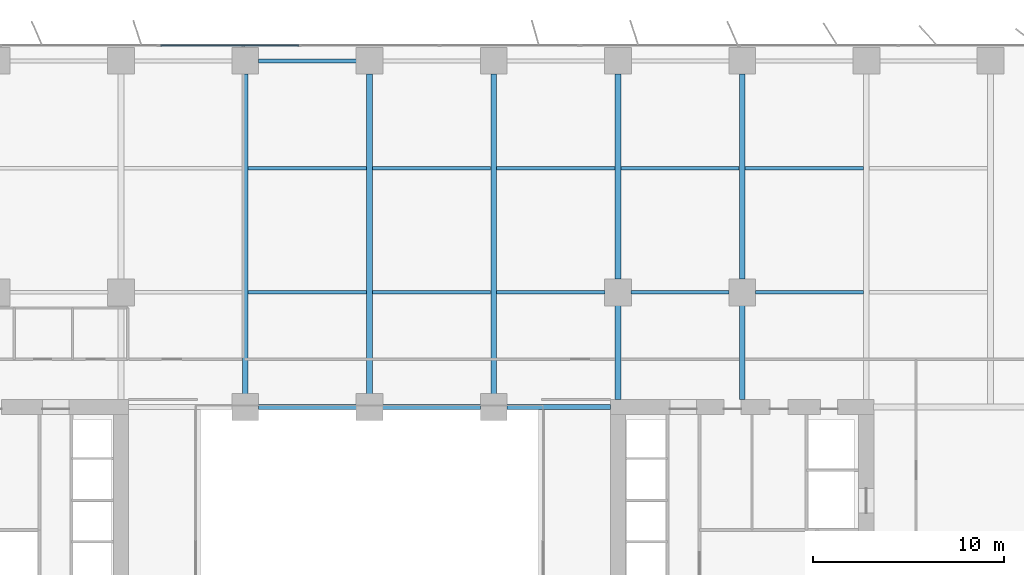
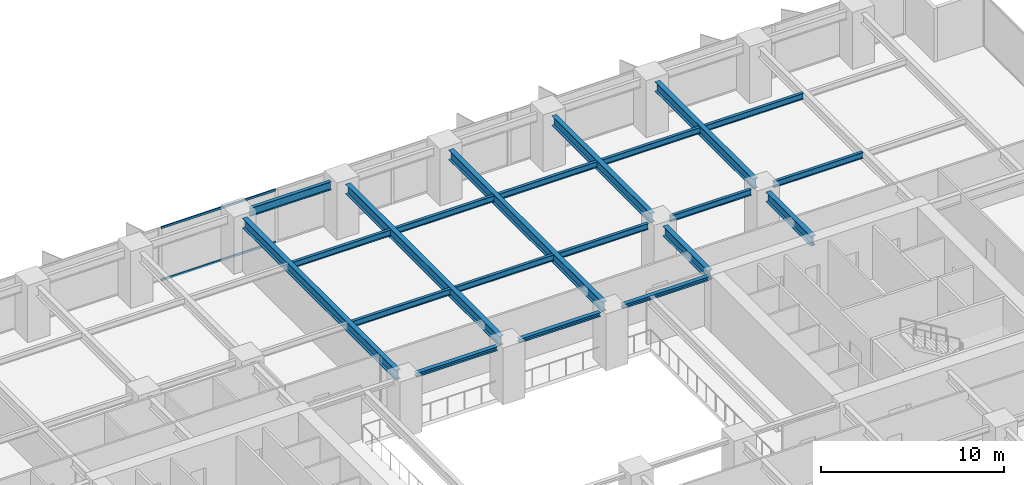
# One storey, part 8 of 20: 21 beams, 2 members, 1 element without a shape of its own.
"""IFC4 building model written with IfcOpenShell, lengths in metres."""

from ifc_helpers import new_model, si_unit, direction, frame, origin, origin_2d, place, context, subcontext, project, spatial, rectangle, i_section, extrude, material, layer, layer_set, material_profile, profile_set, type_object, element, aggregate, save


model = new_model("IFC4")

# Units and contexts
model_context = context("Model", 3, precision=1e-05, world=origin(), true_north=direction((0.0, 1.0)))
body_context = subcontext(model_context, "Body", "Model", "MODEL_VIEW")
ifc_project = project(units=[si_unit("LENGTHUNIT", "METRE"), si_unit("AREAUNIT", "SQUARE_METRE"), si_unit("VOLUMEUNIT", "CUBIC_METRE"), si_unit("PLANEANGLEUNIT", "RADIAN"), si_unit("MASSUNIT", "GRAM", prefix="KILO")], contexts=[model_context])

# Site, building, storey
site_placement = place(None, origin())
site = spatial("IfcSite", under=ifc_project, at=site_placement, CompositionType="ELEMENT")
building_placement = place(site_placement, origin())
building = spatial("IfcBuilding", under=site, at=building_placement, Name="Putna Gate Headquarters", CompositionType="ELEMENT")
storey_placement = place(building_placement, frame((0.0, 0.0, 31.60009765625)))
storey = spatial("IfcBuildingStorey", under=building, at=storey_placement, Name="L06", CompositionType="ELEMENT", Elevation=31.60009765625)

# Beams
ifc_material_1 = material(Name="Steel S355J2", Category="steel")
ifc_material_profile_1 = material_profile(ifc_material_1, i_section(OverallWidth=0.260009765625, OverallDepth=0.260009765625, WebThickness=0.010009765625, FlangeThickness=0.017578125, at=origin_2d()), Name="Steel S355J2")
ifc_profile_set_1 = profile_set([ifc_material_profile_1], Name="Steel S355J2")
beam_type_1 = type_object("IfcBeamType", Name="BM-ATRIUM-HEB260", PredefinedType="BEAM", material=ifc_profile_set_1)
for number, where, z_axis, x_axis, name in (
    (1, (33.18798828125, 33.0, 3.419921875), (1.0, 0.0, 0.0), (0.0, 1.0, 0.0), "L06 Atrium Edge Beam AN2"),
    (2, (39.68798828125, 33.0, 3.419921875), (1.0, 0.0, 0.0), (0.0, 1.0, 0.0), "L06 Atrium Edge Beam AN3"),
):
    element("IfcBeam", number, at=place(storey_placement, frame(where, z_axis=z_axis, x_axis=x_axis)), inside=storey, type_object=beam_type_1, Name=name, PredefinedType="BEAM", context=body_context, shape_type="SweptSolid", body=[
        extrude(i_section(OverallWidth=0.260009765625, OverallDepth=0.260009765625, WebThickness=0.010009765625, FlangeThickness=0.017578125, at=origin_2d()), origin(), (0.0, 0.0, 1.0), 5.1240234375),
    ])
beam_1_placement = place(storey_placement, frame((46.18798828125, 33.0, 3.419921875), z_axis=(1.0, 0.0, 0.0), x_axis=(0.0, 1.0, 0.0)))
element("IfcBeam", 3, at=beam_1_placement, inside=storey, type_object=beam_type_1, Name="L06 Atrium Edge Beam AN4", PredefinedType="BEAM", context=body_context, shape_type="SweptSolid", body=[
    extrude(i_section(OverallWidth=0.260009765625, OverallDepth=0.260009765625, WebThickness=0.010009765625, FlangeThickness=0.017578125, at=origin_2d()), origin(), (0.0, 0.0, 1.0), 5.427001953125),
])
ifc_material_profile_2 = material_profile(ifc_material_1, i_section(OverallWidth=0.300048828125, OverallDepth=0.64990234375, WebThickness=0.01611328125, FlangeThickness=0.031005859375, at=origin_2d()), Name="Steel S355J2")
ifc_profile_set_2 = profile_set([ifc_material_profile_2], Name="Steel S355J2")
beam_type_2 = type_object("IfcBeamType", Name="BM-GIRD-Z1-HEB650", PredefinedType="USERDEFINED", material=ifc_profile_set_2)
for number, where, z_axis, x_axis, name in (
    (4, (32.5, 33.68798828125, 3.224853515625), (0.0, 1.0, 0.0), (-1.0, 0.0, 0.0), "L06 North Primary Girder X32"),
    (5, (39.0, 33.68798828125, 3.224853515625), (0.0, 1.0, 0.0), (-1.0, 0.0, 0.0), "L06 North Primary Girder X39"),
    (6, (45.5, 33.68798828125, 3.224853515625), (0.0, 1.0, 0.0), (-1.0, 0.0, 0.0), "L06 North Primary Girder X45"),
):
    element("IfcBeam", number, at=place(storey_placement, frame(where, z_axis=z_axis, x_axis=x_axis)), inside=storey, type_object=beam_type_2, Name=name, ObjectType="GIRDER", PredefinedType="USERDEFINED", context=body_context, shape_type="SweptSolid", body=[
        extrude(i_section(OverallWidth=0.300048828125, OverallDepth=0.64990234375, WebThickness=0.01611328125, FlangeThickness=0.031005859375, at=origin_2d()), origin(), (0.0, 0.0, 1.0), 16.743896484375),
    ])
beam_2_placement = place(storey_placement, frame((52.0, 33.385009765625, 3.224853515625), z_axis=(0.0, 1.0, 0.0), x_axis=(-1.0, 0.0, 0.0)))
element("IfcBeam", 7, at=beam_2_placement, inside=storey, type_object=beam_type_2, Name="L06 North Primary Girder X52-1", ObjectType="GIRDER", PredefinedType="USERDEFINED", context=body_context, shape_type="SweptSolid", body=[
    extrude(i_section(OverallWidth=0.300048828125, OverallDepth=0.64990234375, WebThickness=0.01611328125, FlangeThickness=0.031005859375, at=origin_2d()), origin(), (0.0, 0.0, 1.0), 4.927001953125),
])
beam_3_placement = place(storey_placement, frame((52.0, 39.68798828125, 3.224853515625), z_axis=(0.0, 1.0, 0.0), x_axis=(-1.0, 0.0, 0.0)))
element("IfcBeam", 8, at=beam_3_placement, inside=storey, type_object=beam_type_2, Name="L06 North Primary Girder X52-2", ObjectType="GIRDER", PredefinedType="USERDEFINED", context=body_context, shape_type="SweptSolid", body=[
    extrude(i_section(OverallWidth=0.300048828125, OverallDepth=0.64990234375, WebThickness=0.01611328125, FlangeThickness=0.031005859375, at=origin_2d()), origin(), (0.0, 0.0, 1.0), 10.743896484375),
])
beam_4_placement = place(storey_placement, frame((58.5, 33.385009765625, 3.224853515625), z_axis=(0.0, 1.0, 0.0), x_axis=(-1.0, 0.0, 0.0)))
element("IfcBeam", 9, at=beam_4_placement, inside=storey, type_object=beam_type_2, Name="L06 North Primary Girder X58-1", ObjectType="GIRDER", PredefinedType="USERDEFINED", context=body_context, shape_type="SweptSolid", body=[
    extrude(i_section(OverallWidth=0.300048828125, OverallDepth=0.64990234375, WebThickness=0.01611328125, FlangeThickness=0.031005859375, at=origin_2d()), origin(), (0.0, 0.0, 1.0), 4.927001953125),
])
beam_5_placement = place(storey_placement, frame((58.5, 39.68798828125, 3.224853515625), z_axis=(0.0, 1.0, 0.0), x_axis=(-1.0, 0.0, 0.0)))
element("IfcBeam", 10, at=beam_5_placement, inside=storey, type_object=beam_type_2, Name="L06 North Primary Girder X58-2", ObjectType="GIRDER", PredefinedType="USERDEFINED", context=body_context, shape_type="SweptSolid", body=[
    extrude(i_section(OverallWidth=0.300048828125, OverallDepth=0.64990234375, WebThickness=0.01611328125, FlangeThickness=0.031005859375, at=origin_2d()), origin(), (0.0, 0.0, 1.0), 10.743896484375),
])
ifc_material_profile_3 = material_profile(ifc_material_1, i_section(OverallWidth=0.179931640625, OverallDepth=0.39990234375, WebThickness=0.008544921875, FlangeThickness=0.013427734375, at=origin_2d()), Name="Steel S355J2")
ifc_profile_set_3 = profile_set([ifc_material_profile_3], Name="Steel S355J2")
beam_type_3 = type_object("IfcBeamType", Name="BM-SEC-Z1-IPE400", PredefinedType="BEAM", material=ifc_profile_set_3)
for number, where, z_axis, x_axis, name in (
    (11, (32.654052734375, 39.0, 3.349853515625), (1.0, 0.0, 0.0), (0.0, 1.0, 0.0), "L06 North Secondary Beam 5"),
    (12, (32.654052734375, 45.5, 3.349853515625), (1.0, 0.0, 0.0), (0.0, 1.0, 0.0), "L06 North Secondary Beam 5"),
    (13, (39.154052734375, 39.0, 3.349853515625), (1.0, 0.0, 0.0), (0.0, 1.0, 0.0), "L06 North Secondary Beam 6"),
    (14, (39.154052734375, 45.5, 3.349853515625), (1.0, 0.0, 0.0), (0.0, 1.0, 0.0), "L06 North Secondary Beam 6"),
):
    element("IfcBeam", number, at=place(storey_placement, frame(where, z_axis=z_axis, x_axis=x_axis)), inside=storey, type_object=beam_type_3, Name=name, PredefinedType="BEAM", context=body_context, shape_type="SweptSolid", body=[
        extrude(i_section(OverallWidth=0.179931640625, OverallDepth=0.39990234375, WebThickness=0.008544921875, FlangeThickness=0.013427734375, at=origin_2d()), origin(), (0.0, 0.0, 1.0), 6.19189453125),
    ])
beam_6_placement = place(storey_placement, frame((45.654052734375, 39.0, 3.349853515625), z_axis=(1.0, 0.0, 0.0), x_axis=(0.0, 1.0, 0.0)))
element("IfcBeam", 15, at=beam_6_placement, inside=storey, type_object=beam_type_3, Name="L06 North Secondary Beam 7", PredefinedType="BEAM", context=body_context, shape_type="SweptSolid", body=[
    extrude(i_section(OverallWidth=0.179931640625, OverallDepth=0.39990234375, WebThickness=0.008544921875, FlangeThickness=0.013427734375, at=origin_2d()), origin(), (0.0, 0.0, 1.0), 5.657958984375),
])
beam_7_placement = place(storey_placement, frame((45.654052734375, 45.5, 3.349853515625), z_axis=(1.0, 0.0, 0.0), x_axis=(0.0, 1.0, 0.0)))
element("IfcBeam", 16, at=beam_7_placement, inside=storey, type_object=beam_type_3, Name="L06 North Secondary Beam 7", PredefinedType="BEAM", context=body_context, shape_type="SweptSolid", body=[
    extrude(i_section(OverallWidth=0.179931640625, OverallDepth=0.39990234375, WebThickness=0.008544921875, FlangeThickness=0.013427734375, at=origin_2d()), origin(), (0.0, 0.0, 1.0), 6.19189453125),
])
beam_8_placement = place(storey_placement, frame((52.68798828125, 39.0, 3.349853515625), z_axis=(1.0, 0.0, 0.0), x_axis=(0.0, 1.0, 0.0)))
element("IfcBeam", 17, at=beam_8_placement, inside=storey, type_object=beam_type_3, Name="L06 North Secondary Beam 8", PredefinedType="BEAM", context=body_context, shape_type="SweptSolid", body=[
    extrude(i_section(OverallWidth=0.179931640625, OverallDepth=0.39990234375, WebThickness=0.008544921875, FlangeThickness=0.013427734375, at=origin_2d()), origin(), (0.0, 0.0, 1.0), 5.1240234375),
])
beam_9_placement = place(storey_placement, frame((52.154052734375, 45.5, 3.349853515625), z_axis=(1.0, 0.0, 0.0), x_axis=(0.0, 1.0, 0.0)))
element("IfcBeam", 18, at=beam_9_placement, inside=storey, type_object=beam_type_3, Name="L06 North Secondary Beam 8", PredefinedType="BEAM", context=body_context, shape_type="SweptSolid", body=[
    extrude(i_section(OverallWidth=0.179931640625, OverallDepth=0.39990234375, WebThickness=0.008544921875, FlangeThickness=0.013427734375, at=origin_2d()), origin(), (0.0, 0.0, 1.0), 6.19189453125),
])
beam_10_placement = place(storey_placement, frame((59.18798828125, 39.0, 3.349853515625), z_axis=(1.0, 0.0, 0.0), x_axis=(0.0, 1.0, 0.0)))
element("IfcBeam", 19, at=beam_10_placement, inside=storey, type_object=beam_type_3, Name="L06 North Secondary Beam 9", PredefinedType="BEAM", context=body_context, shape_type="SweptSolid", body=[
    extrude(i_section(OverallWidth=0.179931640625, OverallDepth=0.39990234375, WebThickness=0.008544921875, FlangeThickness=0.013427734375, at=origin_2d()), origin(), (0.0, 0.0, 1.0), 5.657958984375),
])
beam_11_placement = place(storey_placement, frame((58.654052734375, 45.5, 3.349853515625), z_axis=(1.0, 0.0, 0.0), x_axis=(0.0, 1.0, 0.0)))
element("IfcBeam", 20, at=beam_11_placement, inside=storey, type_object=beam_type_3, Name="L06 North Secondary Beam 9", PredefinedType="BEAM", context=body_context, shape_type="SweptSolid", body=[
    extrude(i_section(OverallWidth=0.179931640625, OverallDepth=0.39990234375, WebThickness=0.008544921875, FlangeThickness=0.013427734375, at=origin_2d()), origin(), (0.0, 0.0, 1.0), 6.19189453125),
])
ifc_material_profile_4 = material_profile(ifc_material_1, i_section(OverallWidth=0.2099609375, OverallDepth=0.550048828125, WebThickness=0.010986328125, FlangeThickness=0.01708984375, at=origin_2d()), Name="Steel S355J2")
ifc_profile_set_4 = profile_set([ifc_material_profile_4], Name="Steel S355J2")
beam_type_4 = type_object("IfcBeamType", Name="BM-SPAN-Z1-IPE550", PredefinedType="SPANDREL", material=ifc_profile_set_4)
beam_12_placement = place(storey_placement, frame((33.18798828125, 51.1201171875, 3.27490234375), z_axis=(1.0, 0.0, 0.0), x_axis=(0.0, 1.0, 0.0)))
element("IfcBeam", 21, at=beam_12_placement, inside=storey, type_object=beam_type_4, Name="L06 N Perimeter Spandrel 5", PredefinedType="SPANDREL", context=body_context, shape_type="SweptSolid", body=[
    extrude(i_section(OverallWidth=0.2099609375, OverallDepth=0.550048828125, WebThickness=0.010986328125, FlangeThickness=0.01708984375, at=origin_2d()), origin(), (0.0, 0.0, 1.0), 5.1240234375),
])

# Curtain wall, members
ifc_material_2 = material(Name="Anodised bronze aluminium curtain wall", Category="aluminium")
ifc_layer = layer(ifc_material_2, 0.179931640625)
ifc_layer_set = layer_set([ifc_layer], Name="Anodised bronze aluminium curtain wall")
curtain_wall_type = type_object("IfcCurtainWallType", Name="CW-SYS-ATR", PredefinedType="USERDEFINED", material=ifc_layer_set)
curtain_wall_placement = place(storey_placement, origin())
curtain_wall = element("IfcCurtainWall", 22, at=curtain_wall_placement, inside=storey, type_object=curtain_wall_type, Name="L06 North Atrium Clear Glazing", ObjectType="ATRIUM GLAZING", PredefinedType="USERDEFINED")
ifc_material_3 = material(Name="Anodised bronze aluminium EN AW-6060", Category="aluminium")
ifc_material_profile_5 = material_profile(ifc_material_3, rectangle(XDim=0.070068359375, YDim=0.139892578125, at=origin_2d()), Name="Anodised bronze aluminium EN AW-6060")
ifc_profile_set_5 = profile_set([ifc_material_profile_5], Name="Anodised bronze aluminium EN AW-6060")
member_type = type_object("IfcMemberType", Name="TRAN-CWT-AT", PredefinedType="USERDEFINED", material=ifc_profile_set_5)
member_1_placement = place(storey_placement, frame((28.070068359375, 51.919921875, 0.034912109375), z_axis=(1.0, 0.0, 0.0), x_axis=(0.0, 1.0, 0.0)))
member_1 = element("IfcMember", 23, at=member_1_placement, type_object=member_type, Name="CWS-AT transom 1.1", ObjectType="TRANSOM", PredefinedType="USERDEFINED", context=body_context, shape_type="SweptSolid", body=[
    extrude(rectangle(XDim=0.070068359375, YDim=0.139892578125, at=origin_2d()), origin(), (0.0, 0.0, 1.0), 7.228271484375),
])
member_2_placement = place(storey_placement, frame((28.070068359375, 51.919921875, 3.514892578125), z_axis=(1.0, 0.0, 0.0), x_axis=(0.0, 1.0, 0.0)))
member_2 = element("IfcMember", 24, at=member_2_placement, type_object=member_type, Name="CWS-AT transom 1.2", ObjectType="TRANSOM", PredefinedType="USERDEFINED", context=body_context, shape_type="SweptSolid", body=[
    extrude(rectangle(XDim=0.070068359375, YDim=0.139892578125, at=origin_2d()), origin(), (0.0, 0.0, 1.0), 7.228271484375),
])
aggregate(curtain_wall, [member_1, member_2])

save(model, "model.ifc")
